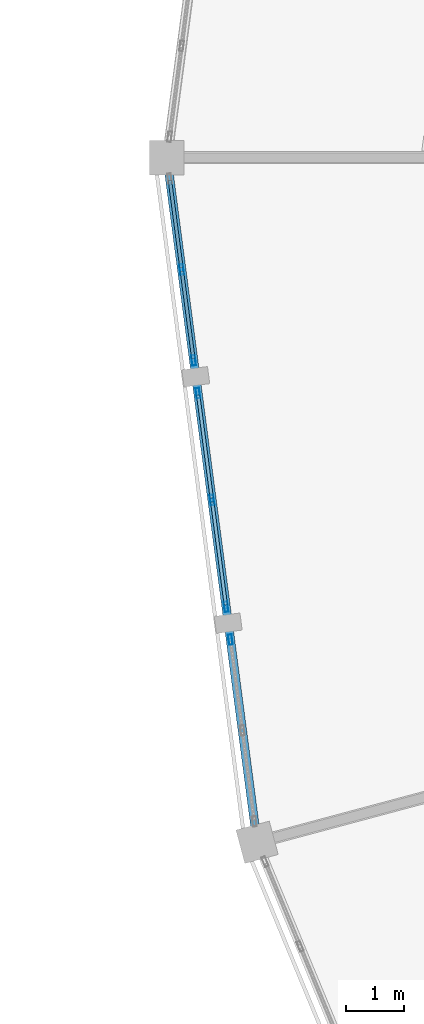
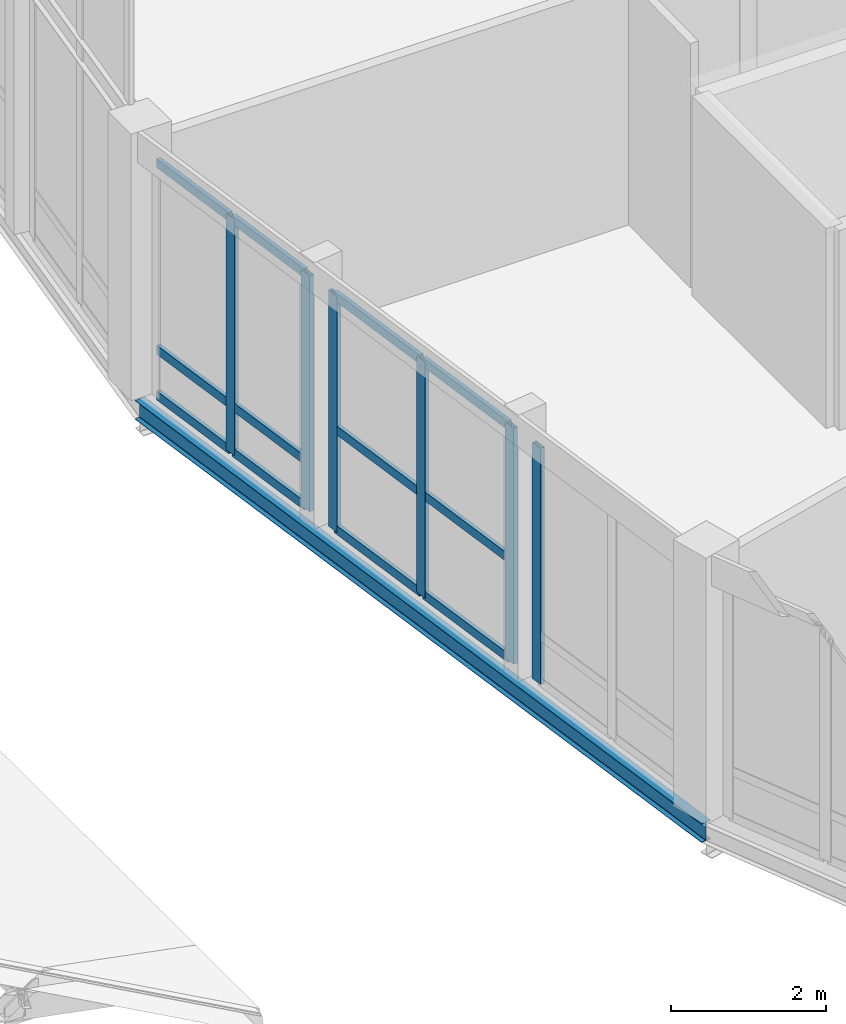
# One storey, part 56 of 200: 18 members, 1 beam, 3 elements without a shape of their own.
"""IFC4 building model written with IfcOpenShell, lengths in metres."""

from ifc_helpers import new_model, si_unit, direction, frame, origin, origin_2d, place, context, subcontext, project, spatial, hollow_rectangle, i_section, extrude, material, material_profile, profile_set, type_object, element, aggregate, save


model = new_model("IFC4")

# Units and contexts
model_context = context("Model", 3, precision=1e-05, world=origin(), true_north=direction((0.0, 1.0)))
body_context = subcontext(model_context, "Body", "Model", "MODEL_VIEW")
ifc_project = project(units=[si_unit("LENGTHUNIT", "METRE"), si_unit("AREAUNIT", "SQUARE_METRE"), si_unit("VOLUMEUNIT", "CUBIC_METRE"), si_unit("PLANEANGLEUNIT", "RADIAN"), si_unit("MASSUNIT", "GRAM", prefix="KILO")], contexts=[model_context])

# Site, building, storey
site_placement = place(None, origin())
site = spatial("IfcSite", under=ifc_project, at=site_placement, CompositionType="ELEMENT")
building_placement = place(site_placement, origin())
building = spatial("IfcBuilding", under=site, at=building_placement, Name="Vondelvale Polytechnic", CompositionType="ELEMENT")
storey_placement = place(building_placement, frame((0.0, 0.0, 13.800048828125)))
storey = spatial("IfcBuildingStorey", under=building, at=storey_placement, Name="L03", CompositionType="ELEMENT", Elevation=13.800048828125)

# Beam
ifc_material_1 = material(Name="Steel 300PLUS (fy = 300 MPa)", Category="steel")
ifc_material_profile_1 = material_profile(ifc_material_1, i_section(OverallWidth=0.14892578125, OverallDepth=0.298095703125, WebThickness=0.005615234375, FlangeThickness=0.008056640625, FilletRadius=0.011474609375, at=origin_2d()), Name="310UB32.0")
ifc_profile_set_1 = profile_set([ifc_material_profile_1], Name="Steel 300PLUS (fy = 300 MPa)")
beam_type = type_object("IfcBeamType", Name="BM-UB310L", PredefinedType="BEAM", material=ifc_profile_set_1)
beam_placement = place(storey_placement, frame((56.0, 72.0, -0.399169921875), z_axis=(0.130522880875, -0.991445297315, 0.0), x_axis=(0.991445297315, 0.130522880875, 0.0)))
element("IfcBeam", 1, at=beam_placement, inside=storey, type_object=beam_type, Name="L03 RB B-25", PredefinedType="BEAM", context=body_context, shape_type="SweptSolid", body=[
    extrude(i_section(OverallWidth=0.14892578125, OverallDepth=0.298095703125, WebThickness=0.005615234375, FlangeThickness=0.008056640625, FilletRadius=0.011474609375, at=origin_2d()), origin(), (0.0, 0.0, 1.0), 12.008544921875),
])

# Curtain wall, members
ifc_material_2 = material(Name="Glulam GL18 structural Tasmanian oak (fb = 42 MPa)", Category="wood")
curtain_wall_type = type_object("IfcCurtainWallType", Name="CW-RING-OUTER", PredefinedType="NOTDEFINED", material=ifc_material_2)
curtain_wall_1_placement = place(storey_placement, origin())
curtain_wall_1 = element("IfcCurtainWall", 2, at=curtain_wall_1_placement, inside=storey, type_object=curtain_wall_type, Name="L03 architectural curtain wall CW-04-268", PredefinedType="NOTDEFINED")
ifc_material_3 = material(Name="Anodised extruded aluminium 6063-T6", Category="aluminium")
ifc_material_profile_2 = material_profile(ifc_material_3, hollow_rectangle(XDim=0.06494140625, YDim=0.179931640625, WallThickness=0.00390625, at=origin_2d()), Name="CW-MUL-180x65")
ifc_profile_set_2 = profile_set([ifc_material_profile_2], Name="Anodised extruded aluminium 6063-T6")
member_type_1 = type_object("IfcMemberType", Name="CW-MUL-65x180", PredefinedType="MULLION", material=ifc_profile_set_2)
member_1_placement = place(storey_placement, frame((56.255859375, 70.056640625, 0.0), z_axis=(0.0, 0.0, 1.0), x_axis=(0.991443102996, 0.130539547729, 0.0)))
member_1 = element("IfcMember", 3, at=member_1_placement, type_object=member_type_1, Name="CW-04-268 mullion 2", PredefinedType="MULLION", context=body_context, shape_type="SweptSolid", body=[
    extrude(hollow_rectangle(XDim=0.06494140625, YDim=0.179931640625, WallThickness=0.00390625, at=origin_2d()), origin(), (0.0, 0.0, 1.0), 3.719970703125),
])
member_2_placement = place(storey_placement, frame((56.464111328125, 68.475341796875, 0.0), z_axis=(0.0, 0.0, 1.0), x_axis=(0.991443102996, 0.130539547729, 0.0)))
member_2 = element("IfcMember", 4, at=member_2_placement, type_object=member_type_1, Name="CW-04-268 mullion 3", PredefinedType="MULLION", context=body_context, shape_type="SweptSolid", body=[
    extrude(hollow_rectangle(XDim=0.06494140625, YDim=0.179931640625, WallThickness=0.00390625, at=origin_2d()), origin(), (0.0, 0.0, 1.0), 3.719970703125),
])

curtain_wall_2_placement = place(storey_placement, origin())
curtain_wall_2 = element("IfcCurtainWall", 5, at=curtain_wall_2_placement, inside=storey, type_object=curtain_wall_type, Name="L03 architectural curtain wall CW-04-269", PredefinedType="NOTDEFINED")
member_3_placement = place(storey_placement, frame((56.5390625, 67.9052734375, 0.0), z_axis=(0.0, 0.0, 1.0), x_axis=(0.991448671082, 0.130497251349, 0.0)))
member_3 = element("IfcMember", 6, at=member_3_placement, type_object=member_type_1, Name="CW-04-269 mullion 1", PredefinedType="MULLION", context=body_context, shape_type="SweptSolid", body=[
    extrude(hollow_rectangle(XDim=0.06494140625, YDim=0.179931640625, WallThickness=0.00390625, at=origin_2d()), origin(), (0.0, 0.0, 1.0), 3.719970703125),
])
member_4_placement = place(storey_placement, frame((56.78369140625, 66.047119140625, 0.0), z_axis=(0.0, 0.0, 1.0), x_axis=(0.991448671082, 0.130497251349, 0.0)))
member_4 = element("IfcMember", 7, at=member_4_placement, type_object=member_type_1, Name="CW-04-269 mullion 2", PredefinedType="MULLION", context=body_context, shape_type="SweptSolid", body=[
    extrude(hollow_rectangle(XDim=0.06494140625, YDim=0.179931640625, WallThickness=0.00390625, at=origin_2d()), origin(), (0.0, 0.0, 1.0), 3.719970703125),
])
member_5_placement = place(storey_placement, frame((57.0283203125, 64.189208984375, 0.0), z_axis=(0.0, 0.0, 1.0), x_axis=(0.991448671082, 0.130497251349, 0.0)))
member_5 = element("IfcMember", 8, at=member_5_placement, type_object=member_type_1, Name="CW-04-269 mullion 3", PredefinedType="MULLION", context=body_context, shape_type="SweptSolid", body=[
    extrude(hollow_rectangle(XDim=0.06494140625, YDim=0.179931640625, WallThickness=0.00390625, at=origin_2d()), origin(), (0.0, 0.0, 1.0), 3.719970703125),
])

# Curtain wall, member
curtain_wall_3_placement = place(storey_placement, origin())
curtain_wall_3 = element("IfcCurtainWall", 9, at=curtain_wall_3_placement, inside=storey, type_object=curtain_wall_type, Name="L03 architectural curtain wall CW-04-270", PredefinedType="NOTDEFINED")
member_6_placement = place(storey_placement, frame((57.103271484375, 63.619140625, 0.0), z_axis=(0.0, 0.0, 1.0), x_axis=(0.991443102996, 0.130539547729, 0.0)))
member_6 = element("IfcMember", 10, at=member_6_placement, type_object=member_type_1, Name="CW-04-270 mullion 1", PredefinedType="MULLION", context=body_context, shape_type="SweptSolid", body=[
    extrude(hollow_rectangle(XDim=0.06494140625, YDim=0.179931640625, WallThickness=0.00390625, at=origin_2d()), origin(), (0.0, 0.0, 1.0), 3.719970703125),
])
aggregate(curtain_wall_3, [member_6])

# Member
ifc_material_profile_3 = material_profile(ifc_material_3, hollow_rectangle(XDim=0.06005859375, YDim=0.139892578125, WallThickness=0.00341796875, at=origin_2d()), Name="CW-TRN-140x60")
ifc_profile_set_3 = profile_set([ifc_material_profile_3], Name="Anodised extruded aluminium 6063-T6")
member_type_2 = type_object("IfcMemberType", Name="CW-TRN-60x140", PredefinedType="USERDEFINED", material=ifc_profile_set_3)
member_7_placement = place(storey_placement, frame((56.052001953125, 71.605712890625, 0.030029296875), z_axis=(0.130532942165, -0.991443972703, 0.0), x_axis=(0.991443972703, 0.130532942165, 0.0)))
member_7 = element("IfcMember", 11, at=member_7_placement, type_object=member_type_2, Name="CW-04-268 transom 1.1", ObjectType="TRANSOM", PredefinedType="USERDEFINED", context=body_context, shape_type="SweptSolid", body=[
    extrude(hollow_rectangle(XDim=0.06005859375, YDim=0.139892578125, WallThickness=0.00341796875, at=origin_2d()), origin(), (0.0, 0.0, 1.0), 1.530029296875),
])

member_8_placement = place(storey_placement, frame((56.052001953125, 71.605712890625, 0.75), z_axis=(0.130532942165, -0.991443972703, 0.0), x_axis=(0.991443972703, 0.130532942165, 0.0)))
member_8 = element("IfcMember", 12, at=member_8_placement, type_object=member_type_2, Name="CW-04-268 transom 1.2", ObjectType="TRANSOM", PredefinedType="USERDEFINED", context=body_context, shape_type="SweptSolid", body=[
    extrude(hollow_rectangle(XDim=0.06005859375, YDim=0.139892578125, WallThickness=0.00341796875, at=origin_2d()), origin(), (0.0, 0.0, 1.0), 1.530029296875),
])

member_9_placement = place(storey_placement, frame((56.052001953125, 71.605712890625, 3.68994140625), z_axis=(0.130532942165, -0.991443972703, 0.0), x_axis=(0.991443972703, 0.130532942165, 0.0)))
member_9 = element("IfcMember", 13, at=member_9_placement, type_object=member_type_2, Name="CW-04-268 transom 1.3", ObjectType="TRANSOM", PredefinedType="USERDEFINED", context=body_context, shape_type="SweptSolid", body=[
    extrude(hollow_rectangle(XDim=0.06005859375, YDim=0.139892578125, WallThickness=0.00341796875, at=origin_2d()), origin(), (0.0, 0.0, 1.0), 1.530029296875),
])

member_10_placement = place(storey_placement, frame((56.260009765625, 70.0244140625, 0.030029296875), z_axis=(0.130512293736, -0.991446691045, 0.0), x_axis=(0.991446691045, 0.130512293736, 0.0)))
member_10 = element("IfcMember", 14, at=member_10_placement, type_object=member_type_2, Name="CW-04-268 transom 2.1", ObjectType="TRANSOM", PredefinedType="USERDEFINED", context=body_context, shape_type="SweptSolid", body=[
    extrude(hollow_rectangle(XDim=0.06005859375, YDim=0.139892578125, WallThickness=0.00341796875, at=origin_2d()), origin(), (0.0, 0.0, 1.0), 1.5302734375),
])

member_11_placement = place(storey_placement, frame((56.260009765625, 70.0244140625, 0.75), z_axis=(0.130512293736, -0.991446691045, 0.0), x_axis=(0.991446691045, 0.130512293736, 0.0)))
member_11 = element("IfcMember", 15, at=member_11_placement, type_object=member_type_2, Name="CW-04-268 transom 2.2", ObjectType="TRANSOM", PredefinedType="USERDEFINED", context=body_context, shape_type="SweptSolid", body=[
    extrude(hollow_rectangle(XDim=0.06005859375, YDim=0.139892578125, WallThickness=0.00341796875, at=origin_2d()), origin(), (0.0, 0.0, 1.0), 1.5302734375),
])

member_12_placement = place(storey_placement, frame((56.260009765625, 70.0244140625, 3.68994140625), z_axis=(0.130512293736, -0.991446691045, 0.0), x_axis=(0.991446691045, 0.130512293736, 0.0)))
member_12 = element("IfcMember", 16, at=member_12_placement, type_object=member_type_2, Name="CW-04-268 transom 2.3", ObjectType="TRANSOM", PredefinedType="USERDEFINED", context=body_context, shape_type="SweptSolid", body=[
    extrude(hollow_rectangle(XDim=0.06005859375, YDim=0.139892578125, WallThickness=0.00341796875, at=origin_2d()), origin(), (0.0, 0.0, 1.0), 1.5302734375),
])

aggregate(curtain_wall_1, [member_1, member_2, member_7, member_8, member_9, member_10, member_11, member_12])

member_13_placement = place(storey_placement, frame((56.54345703125, 67.873046875, 0.030029296875), z_axis=(0.130492911033, -0.991449242357, 0.0), x_axis=(0.991449242357, 0.130492911033, 0.0)))
member_13 = element("IfcMember", 17, at=member_13_placement, type_object=member_type_2, Name="CW-04-269 transom 1.1", ObjectType="TRANSOM", PredefinedType="USERDEFINED", context=body_context, shape_type="SweptSolid", body=[
    extrude(hollow_rectangle(XDim=0.06005859375, YDim=0.139892578125, WallThickness=0.00341796875, at=origin_2d()), origin(), (0.0, 0.0, 1.0), 1.80908203125),
])

member_14_placement = place(storey_placement, frame((56.54345703125, 67.873046875, 1.599853515625), z_axis=(0.130492911033, -0.991449242357, 0.0), x_axis=(0.991449242357, 0.130492911033, 0.0)))
member_14 = element("IfcMember", 18, at=member_14_placement, type_object=member_type_2, Name="CW-04-269 transom 1.2", ObjectType="TRANSOM", PredefinedType="USERDEFINED", context=body_context, shape_type="SweptSolid", body=[
    extrude(hollow_rectangle(XDim=0.06005859375, YDim=0.139892578125, WallThickness=0.00341796875, at=origin_2d()), origin(), (0.0, 0.0, 1.0), 1.80908203125),
])

member_15_placement = place(storey_placement, frame((56.54345703125, 67.873046875, 3.68994140625), z_axis=(0.130492911033, -0.991449242357, 0.0), x_axis=(0.991449242357, 0.130492911033, 0.0)))
member_15 = element("IfcMember", 19, at=member_15_placement, type_object=member_type_2, Name="CW-04-269 transom 1.3", ObjectType="TRANSOM", PredefinedType="USERDEFINED", context=body_context, shape_type="SweptSolid", body=[
    extrude(hollow_rectangle(XDim=0.06005859375, YDim=0.139892578125, WallThickness=0.00341796875, at=origin_2d()), origin(), (0.0, 0.0, 1.0), 1.80908203125),
])

member_16_placement = place(storey_placement, frame((56.787841796875, 66.014892578125, 0.030029296875), z_axis=(0.130510372288, -0.991446943979, 0.0), x_axis=(0.991446943979, 0.130510372288, 0.0)))
member_16 = element("IfcMember", 20, at=member_16_placement, type_object=member_type_2, Name="CW-04-269 transom 2.1", ObjectType="TRANSOM", PredefinedType="USERDEFINED", context=body_context, shape_type="SweptSolid", body=[
    extrude(hollow_rectangle(XDim=0.06005859375, YDim=0.139892578125, WallThickness=0.00341796875, at=origin_2d()), origin(), (0.0, 0.0, 1.0), 1.808837890625),
])

member_17_placement = place(storey_placement, frame((56.787841796875, 66.014892578125, 1.599853515625), z_axis=(0.130510372288, -0.991446943979, 0.0), x_axis=(0.991446943979, 0.130510372288, 0.0)))
member_17 = element("IfcMember", 21, at=member_17_placement, type_object=member_type_2, Name="CW-04-269 transom 2.2", ObjectType="TRANSOM", PredefinedType="USERDEFINED", context=body_context, shape_type="SweptSolid", body=[
    extrude(hollow_rectangle(XDim=0.06005859375, YDim=0.139892578125, WallThickness=0.00341796875, at=origin_2d()), origin(), (0.0, 0.0, 1.0), 1.808837890625),
])

member_18_placement = place(storey_placement, frame((56.787841796875, 66.014892578125, 3.68994140625), z_axis=(0.130510372288, -0.991446943979, 0.0), x_axis=(0.991446943979, 0.130510372288, 0.0)))
member_18 = element("IfcMember", 22, at=member_18_placement, type_object=member_type_2, Name="CW-04-269 transom 2.3", ObjectType="TRANSOM", PredefinedType="USERDEFINED", context=body_context, shape_type="SweptSolid", body=[
    extrude(hollow_rectangle(XDim=0.06005859375, YDim=0.139892578125, WallThickness=0.00341796875, at=origin_2d()), origin(), (0.0, 0.0, 1.0), 1.808837890625),
])

aggregate(curtain_wall_2, [member_3, member_4, member_5, member_13, member_14, member_15, member_16, member_17, member_18])

save(model, "model.ifc")
